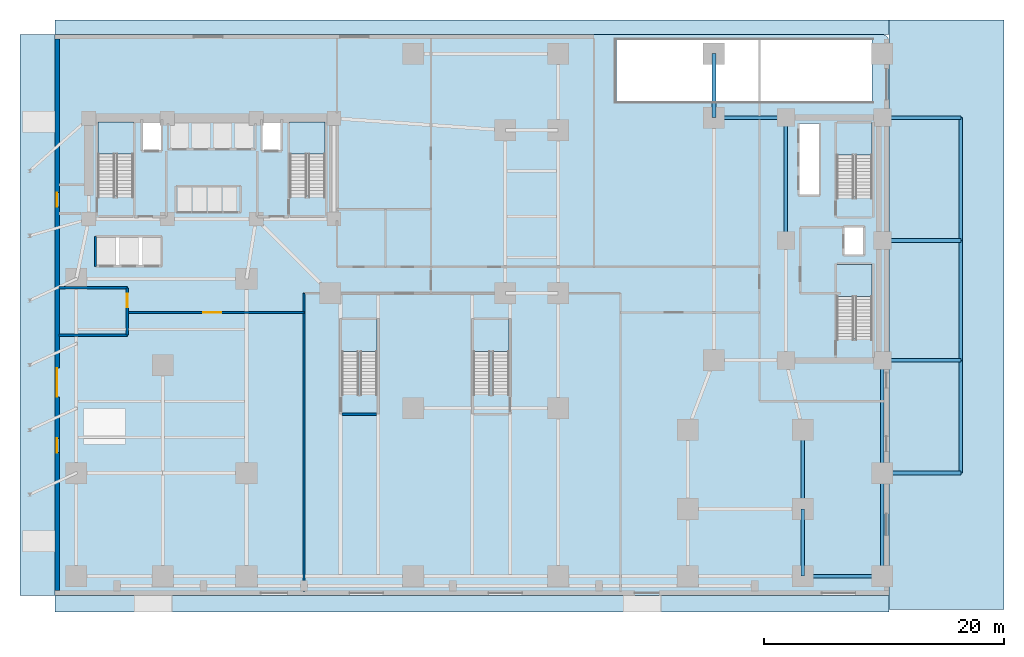
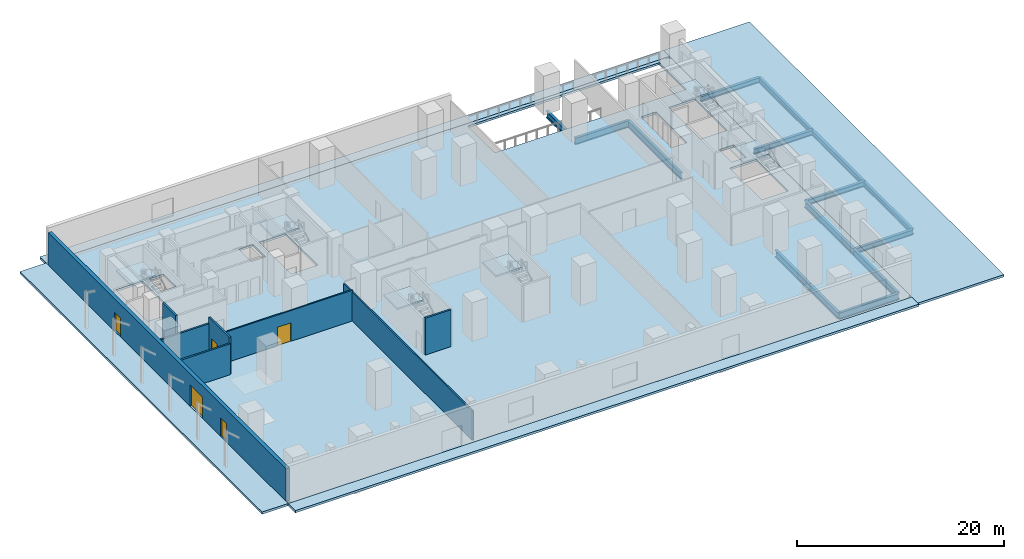
# One storey, part 5 of 14: 15 beams, 11 slabs, 8 walls, 5 doors, 5 openings, 6 elements without a shape of their own.
"""IFC4 building model written with IfcOpenShell, lengths in metres."""

import ifcopenshell
import ifcopenshell.guid

model = None  # the IFC model being written
_history = None  # IfcOwnerHistory: only IFC2X3 demands one
_inside = {}  # id of a spatial element -> (the spatial element, [elements in it])
_under = {}  # id of a project, library or spatial element -> (it, [spatial elements below it])
_declared = {}  # id of a project -> (the project, [libraries it declares])
_typed = {}  # id of a type object -> (the type object, [elements of that type])
_made_of = {}  # id of a material, layer set ... -> (it, [elements and type objects made of it])


def new_model(schema):
    """Start an empty IFC model of exactly this schema.

    Asked for "IFC4X3", IfcOpenShell would pick the latest addendum, in which some entities
    have other attributes; the version numbers below select the first issue.
    IFC2X3 requires an IfcOwnerHistory on every rooted entity: one is made here for all.
    """
    global model, _history
    if schema == "IFC4X3":
        model = ifcopenshell.file(schema_version=(4, 3, 0, 0))
    else:
        model = ifcopenshell.file(schema=schema)
    _inside.clear()
    _under.clear()
    _declared.clear()
    _typed.clear()
    _made_of.clear()
    _history = None
    if model.schema == "IFC2X3":
        org = make("IfcOrganization", Name="unknown")
        user = make(
            "IfcPersonAndOrganization",
            ThePerson=make("IfcPerson", FamilyName="unknown"),
            TheOrganization=org,
        )
        app = make(
            "IfcApplication",
            ApplicationDeveloper=org,
            Version="unknown",
            ApplicationFullName="unknown",
            ApplicationIdentifier="unknown",
        )
        _history = make(
            "IfcOwnerHistory",
            OwningUser=user,
            OwningApplication=app,
            ChangeAction="ADDED",
            CreationDate=0,
        )
    return model


def make(cls, **values):
    """One entity of the class cls with the attributes given. An attribute that is None is left unset."""
    return model.create_entity(
        cls, **{name: value for name, value in values.items() if value is not None}
    )


def rooted(cls, **values):
    """An entity with a GlobalId (a new one), such as an element, a storey or a relation."""
    return make(cls, GlobalId=ifcopenshell.guid.new(), OwnerHistory=_history, **values)


def si_unit(unit_type, name, prefix=None):
    """IfcSIUnit, for example si_unit("LENGTHUNIT", "METRE", prefix="MILLI")."""
    return make("IfcSIUnit", UnitType=unit_type, Prefix=prefix, Name=name)


def assignment(units):
    """IfcUnitAssignment: the units of a project."""
    return None if units is None else make("IfcUnitAssignment", Units=units)


def point(xyz):
    """IfcCartesianPoint."""
    return None if xyz is None else make("IfcCartesianPoint", Coordinates=xyz)


def direction(xyz):
    """IfcDirection."""
    return None if xyz is None else make("IfcDirection", DirectionRatios=xyz)


def frame(location, z_axis=None, x_axis=None):
    """IfcAxis2Placement3D, a coordinate frame: its origin and axes. An axis left out is left unset."""
    return make(
        "IfcAxis2Placement3D",
        Location=point(location),
        Axis=direction(z_axis),
        RefDirection=direction(x_axis),
    )


def frame_2d(location, x_axis=None):
    """IfcAxis2Placement2D, a coordinate frame in the plane: its origin and x axis."""
    return make(
        "IfcAxis2Placement2D", Location=point(location), RefDirection=direction(x_axis)
    )


def origin():
    """The frame at (0, 0, 0) with its axes left unset."""
    return frame((0.0, 0.0, 0.0))


def origin_2d():
    """The frame at (0, 0) in the plane with its x axis left unset."""
    return frame_2d((0.0, 0.0))


def place(relative_to, where):
    """IfcLocalPlacement: puts the frame where relative to a parent placement (None: the world)."""
    return make(
        "IfcLocalPlacement", PlacementRelTo=relative_to, RelativePlacement=where
    )


def context(
    kind, dimensions, precision=None, world=None, true_north=None, identifier=None
):
    """IfcGeometricRepresentationContext, for example the 3D "Model" context."""
    return make(
        "IfcGeometricRepresentationContext",
        ContextIdentifier=identifier,
        ContextType=kind,
        CoordinateSpaceDimension=dimensions,
        Precision=precision,
        WorldCoordinateSystem=world,
        TrueNorth=true_north,
    )


def subcontext(parent, identifier, kind, view, scale=None):
    """IfcGeometricRepresentationSubContext, for example "Body" below "Model"."""
    return make(
        "IfcGeometricRepresentationSubContext",
        ContextIdentifier=identifier,
        ContextType=kind,
        ParentContext=parent,
        TargetScale=scale,
        TargetView=view,
    )


def project(units=None, contexts=None):
    """IfcProject with its units and contexts."""
    return rooted(
        "IfcProject",
        Name="project",
        RepresentationContexts=contexts,
        UnitsInContext=assignment(units),
    )


def spatial(cls, under=None, at=None, **own):
    """A site, building, storey or space (cls), placed at a placement, below another one or the project."""
    s = rooted(cls, ObjectPlacement=at, **own)
    if under is not None:
        _under.setdefault(under.id(), (under, []))[1].append(s)
    return s


def polyline(points):
    """IfcPolyline through the points."""
    return make("IfcPolyline", Points=[point(p) for p in points])


def profile(cls, at=None, kind="AREA", **sizes):
    """A parametric profile (cls). Its sizes go by their IFC names, for example OverallWidth=200.0."""
    return make(cls, ProfileType=kind, Position=at, **sizes)


def rectangle(**sizes):
    """IfcRectangleProfileDef."""
    return profile("IfcRectangleProfileDef", **sizes)


def i_section(**sizes):
    """IfcIShapeProfileDef."""
    return profile("IfcIShapeProfileDef", **sizes)


def outline(outer, holes=None, kind="AREA"):
    """IfcArbitraryClosedProfileDef: a profile drawn as a closed curve; with holes, ...WithVoids."""
    if holes is None:
        return make("IfcArbitraryClosedProfileDef", ProfileType=kind, OuterCurve=outer)
    return make(
        "IfcArbitraryProfileDefWithVoids",
        ProfileType=kind,
        OuterCurve=outer,
        InnerCurves=holes,
    )


def extrude(swept, where, along, depth):
    """IfcExtrudedAreaSolid: the profile swept, set in the frame where, extruded along a direction by depth."""
    return make(
        "IfcExtrudedAreaSolid",
        SweptArea=swept,
        Position=where,
        ExtrudedDirection=direction(along),
        Depth=depth,
    )


def shape(context_of_items, identifier, shape_type, items):
    """IfcShapeRepresentation: the items that make up one representation, for example the "Body"."""
    return make(
        "IfcShapeRepresentation",
        ContextOfItems=context_of_items,
        RepresentationIdentifier=identifier,
        RepresentationType=shape_type,
        Items=items,
    )


def material(Name=None, Category=None):
    """IfcMaterial."""
    return make("IfcMaterial", Name=Name, Category=Category)


def layer(
    of_material, thickness, ventilated=None, Name=None, Category=None, Priority=None
):
    """IfcMaterialLayer: one layer of a wall or slab, of a material (None: an air gap)."""
    return make(
        "IfcMaterialLayer",
        Material=of_material,
        LayerThickness=thickness,
        IsVentilated=ventilated,
        Name=Name,
        Category=Category,
        Priority=Priority,
    )


def layer_set(layers, Name=None):
    """IfcMaterialLayerSet."""
    return make("IfcMaterialLayerSet", MaterialLayers=layers, LayerSetName=Name)


def material_profile(
    of_material, cross_section, Name=None, Category=None, Priority=None
):
    """IfcMaterialProfile: a cross section and its material."""
    return make(
        "IfcMaterialProfile",
        Name=Name,
        Material=of_material,
        Profile=cross_section,
        Priority=Priority,
        Category=Category,
    )


def profile_set(profiles, Name=None, composite=None):
    """IfcMaterialProfileSet."""
    return make(
        "IfcMaterialProfileSet",
        Name=Name,
        MaterialProfiles=profiles,
        CompositeProfile=composite,
    )


def made_of(thing, what):
    """Note that an element or type object is made of a material, layer set ...; save() writes the relation."""
    if what is not None:
        _made_of.setdefault(what.id(), (what, []))[1].append(thing)
    return thing


def type_object(cls, material=None, **own):
    """A type object (cls), such as IfcWallType, which elements share."""
    return made_of(rooted(cls, **own), material)


def element(
    cls,
    number,
    at=None,
    inside=None,
    cuts=None,
    type_object=None,
    material=None,
    context=None,
    identifier="Body",
    shape_type=None,
    held_by="IfcProductDefinitionShape",
    body=None,
    shapes=None,
    **own,
):
    """One element of the class cls, such as IfcWall. Its Tag is "e" and its number.

    at: its placement. inside: the storey or other place that contains it. cuts: it is an
    opening in that element (IfcRelVoidsElement). A single representation is given by context,
    identifier, shape_type and body (its items); several are given by shapes. held_by: the class
    of the entity that holds the representations. save() writes the other relations.
    """
    e = rooted(cls, Tag="e%d" % number, ObjectPlacement=at, **own)
    if body is not None:
        shapes = [shape(context, identifier, shape_type, body)]
    if shapes is not None:
        e.Representation = make(held_by, Representations=shapes)
    if inside is not None:
        _inside.setdefault(inside.id(), (inside, []))[1].append(e)
    if cuts is not None:
        rooted(
            "IfcRelVoidsElement", RelatingBuildingElement=cuts, RelatedOpeningElement=e
        )
    if type_object is not None:
        _typed.setdefault(type_object.id(), (type_object, []))[1].append(e)
    return made_of(e, material)


def fill(opening, filler):
    """IfcRelFillsElement: the door or window that sits in an opening."""
    return rooted(
        "IfcRelFillsElement",
        RelatingOpeningElement=opening,
        RelatedBuildingElement=filler,
    )


def aggregate(whole, parts):
    """IfcRelAggregates: a whole, such as a stair, and the parts it consists of."""
    return rooted("IfcRelAggregates", RelatingObject=whole, RelatedObjects=parts)


def save(model, path):
    """Write the relations noted so far, then the file.

    IfcRelAggregates (storeys below a building ...), IfcRelContainedInSpatialStructure (elements
    in a storey), IfcRelDefinesByType, IfcRelAssociatesMaterial and IfcRelDeclares: one each for
    every whole, place, type object, material and project.
    """
    for whole, parts in _under.values():
        aggregate(whole, parts)
    for where, things in _inside.values():
        rooted(
            "IfcRelContainedInSpatialStructure",
            RelatedElements=things,
            RelatingStructure=where,
        )
    for kind, things in _typed.values():
        rooted("IfcRelDefinesByType", RelatedObjects=things, RelatingType=kind)
    for what, things in _made_of.values():
        rooted("IfcRelAssociatesMaterial", RelatedObjects=things, RelatingMaterial=what)
    for by, libraries in _declared.values():
        rooted("IfcRelDeclares", RelatingContext=by, RelatedDefinitions=libraries)
    model.write(path)


model = new_model("IFC4")

# Units and contexts
model_context = context("Model", 3, precision=1e-05, world=origin(), true_north=direction((0.0, 1.0)))
body_context = subcontext(model_context, "Body", "Model", "MODEL_VIEW")
ifc_project = project(units=[si_unit("LENGTHUNIT", "METRE"), si_unit("AREAUNIT", "SQUARE_METRE"), si_unit("VOLUMEUNIT", "CUBIC_METRE"), si_unit("PLANEANGLEUNIT", "RADIAN"), si_unit("MASSUNIT", "GRAM", prefix="KILO")], contexts=[model_context])

# Site, building, storey
site_placement = place(None, origin())
site = spatial("IfcSite", under=ifc_project, at=site_placement, CompositionType="ELEMENT")
building_placement = place(site_placement, origin())
building = spatial("IfcBuilding", under=site, at=building_placement, Name="Kuzgunbayir Cultural Tower", CompositionType="ELEMENT")
storey_placement = place(building_placement, origin())
storey = spatial("IfcBuildingStorey", under=building, at=storey_placement, Name="L00", CompositionType="ELEMENT", Elevation=0.0)

# Beams
ifc_material_1 = material(Name="Steel S355J2", Category="steel")
ifc_material_profile_1 = material_profile(ifc_material_1, i_section(OverallWidth=0.300048828125, OverallDepth=0.800048828125, WebThickness=0.017578125, FlangeThickness=0.032958984375, FilletRadius=0.030029296875, at=origin_2d()), Name="HEB 800")
ifc_profile_set_1 = profile_set([ifc_material_profile_1], Name="Steel S355J2")
beam_type_1 = type_object("IfcBeamType", Name="BM-GIR-HEB800", PredefinedType="BEAM", material=ifc_profile_set_1)
beam_1_placement = place(storey_placement, frame((66.0, 4.0, -0.64990234375), z_axis=(1.0, 0.0, 0.0), x_axis=(0.0, 1.0, 0.0)))
element("IfcBeam", 1, at=beam_1_placement, inside=storey, type_object=beam_type_1, Name="L00 Podium South Girder 7", PredefinedType="BEAM", context=body_context, shape_type="SweptSolid", body=[
    extrude(i_section(OverallWidth=0.300048828125, OverallDepth=0.800048828125, WebThickness=0.017578125, FlangeThickness=0.032958984375, FilletRadius=0.030029296875, at=origin_2d()), origin(), (0.0, 0.0, 1.0), 6.64990234375),
])
beam_2_placement = place(storey_placement, frame((66.0, 9.60009765625, -0.64990234375), z_axis=(0.0, 1.0, 0.0), x_axis=(-1.0, 0.0, 0.0)))
element("IfcBeam", 2, at=beam_2_placement, inside=storey, type_object=beam_type_1, Name="L00 Podium Primary Girder 21", PredefinedType="BEAM", context=body_context, shape_type="SweptSolid", body=[
    extrude(i_section(OverallWidth=0.300048828125, OverallDepth=0.800048828125, WebThickness=0.017578125, FlangeThickness=0.032958984375, FilletRadius=0.030029296875, at=origin_2d()), origin(), (0.0, 0.0, 1.0), 6.599853515625),
])
beam_3_placement = place(storey_placement, frame((58.60009765625, 42.25, -0.64990234375), z_axis=(1.0, 0.0, 0.0), x_axis=(0.0, 1.0, 0.0)))
element("IfcBeam", 3, at=beam_3_placement, inside=storey, type_object=beam_type_1, Name="L00 Podium Primary Girder 24", PredefinedType="BEAM", context=body_context, shape_type="SweptSolid", body=[
    extrude(i_section(OverallWidth=0.300048828125, OverallDepth=0.800048828125, WebThickness=0.017578125, FlangeThickness=0.032958984375, FilletRadius=0.030029296875, at=origin_2d()), origin(), (0.0, 0.0, 1.0), 6.0),
])
beam_4_placement = place(storey_placement, frame((64.60009765625, 32.0, -0.64990234375), z_axis=(0.0, 1.0, 0.0), x_axis=(-1.0, 0.0, 0.0)))
element("IfcBeam", 4, at=beam_4_placement, inside=storey, type_object=beam_type_1, Name="L00 Podium Primary Girder 27", PredefinedType="BEAM", context=body_context, shape_type="SweptSolid", body=[
    extrude(i_section(OverallWidth=0.300048828125, OverallDepth=0.800048828125, WebThickness=0.017578125, FlangeThickness=0.032958984375, FilletRadius=0.030029296875, at=origin_2d()), origin(), (0.0, 0.0, 1.0), 10.25),
])
beam_5_placement = place(storey_placement, frame((66.0, 4.0, -0.64990234375), z_axis=(0.0, 1.0, 0.0), x_axis=(-1.0, 0.0, 0.0)))
element("IfcBeam", 5, at=beam_5_placement, inside=storey, type_object=beam_type_1, Name="L00 Podium Primary Girder 38", PredefinedType="BEAM", context=body_context, shape_type="SweptSolid", body=[
    extrude(i_section(OverallWidth=0.300048828125, OverallDepth=0.800048828125, WebThickness=0.017578125, FlangeThickness=0.032958984375, FilletRadius=0.030029296875, at=origin_2d()), origin(), (0.0, 0.0, 1.0), 5.60009765625),
])
beam_6_placement = place(storey_placement, frame((72.64990234375, 4.0, -0.64990234375), z_axis=(0.0, 1.0, 0.0), x_axis=(-1.0, 0.0, 0.0)))
element("IfcBeam", 6, at=beam_6_placement, inside=storey, type_object=beam_type_1, Name="L00 Podium Primary Girder 39", PredefinedType="BEAM", context=body_context, shape_type="SweptSolid", body=[
    extrude(i_section(OverallWidth=0.300048828125, OverallDepth=0.800048828125, WebThickness=0.017578125, FlangeThickness=0.032958984375, FilletRadius=0.030029296875, at=origin_2d()), origin(), (0.0, 0.0, 1.0), 8.60009765625),
])
beam_7_placement = place(storey_placement, frame((72.64990234375, 12.60009765625, -0.64990234375), z_axis=(0.0, 1.0, 0.0), x_axis=(-1.0, 0.0, 0.0)))
element("IfcBeam", 7, at=beam_7_placement, inside=storey, type_object=beam_type_1, Name="L00 Podium Primary Girder 40", PredefinedType="BEAM", context=body_context, shape_type="SweptSolid", body=[
    extrude(i_section(OverallWidth=0.300048828125, OverallDepth=0.800048828125, WebThickness=0.017578125, FlangeThickness=0.032958984375, FilletRadius=0.030029296875, at=origin_2d()), origin(), (0.0, 0.0, 1.0), 9.39990234375),
])
beam_8_placement = place(storey_placement, frame((58.60009765625, 42.25, -0.64990234375), z_axis=(0.0, 1.0, 0.0), x_axis=(-1.0, 0.0, 0.0)))
element("IfcBeam", 8, at=beam_8_placement, inside=storey, type_object=beam_type_1, Name="L00 Podium Primary Girder 42", PredefinedType="BEAM", context=body_context, shape_type="SweptSolid", body=[
    extrude(i_section(OverallWidth=0.300048828125, OverallDepth=0.800048828125, WebThickness=0.017578125, FlangeThickness=0.032958984375, FilletRadius=0.030029296875, at=origin_2d()), origin(), (0.0, 0.0, 1.0), 5.35009765625),
])
ifc_material_2 = material(Name="Steel S460M", Category="steel")
ifc_material_profile_2 = material_profile(ifc_material_2, i_section(OverallWidth=0.304931640625, OverallDepth=0.6201171875, WebThickness=0.02099609375, FlangeThickness=0.0400390625, FilletRadius=0.027099609375, at=origin_2d()), Name="HEM 600")
ifc_profile_set_2 = profile_set([ifc_material_profile_2], Name="Steel S460M")
beam_type_2 = type_object("IfcBeamType", Name="BM-GIR-HEM600", PredefinedType="BEAM", material=ifc_profile_set_2)
for number, where, z_axis, x_axis, name in (
    (9, (72.64990234375, 12.60009765625, -0.570068359375), (1.0, 0.0, 0.0), (0.0, 1.0, 0.0), "L00 East Substructure Girder 1"),
    (10, (72.64990234375, 22.0, -0.570068359375), (1.0, 0.0, 0.0), (0.0, 1.0, 0.0), "L00 East Substructure Girder 2"),
    (11, (72.64990234375, 32.0, -0.570068359375), (1.0, 0.0, 0.0), (0.0, 1.0, 0.0), "L00 East Substructure Girder 3"),
    (12, (72.64990234375, 42.25, -0.570068359375), (1.0, 0.0, 0.0), (0.0, 1.0, 0.0), "L00 East Substructure Girder 4"),
):
    element("IfcBeam", number, at=place(storey_placement, frame(where, z_axis=z_axis, x_axis=x_axis)), inside=storey, type_object=beam_type_2, Name=name, PredefinedType="BEAM", context=body_context, shape_type="SweptSolid", body=[
        extrude(i_section(OverallWidth=0.304931640625, OverallDepth=0.6201171875, WebThickness=0.02099609375, FlangeThickness=0.0400390625, FilletRadius=0.027099609375, at=origin_2d()), origin(), (0.0, 0.0, 1.0), 6.550048828125),
    ])
beam_9_placement = place(storey_placement, frame((79.199951171875, 12.60009765625, -0.570068359375), z_axis=(0.0, 1.0, 0.0), x_axis=(-1.0, 0.0, 0.0)))
element("IfcBeam", 13, at=beam_9_placement, inside=storey, type_object=beam_type_2, Name="L00 East Substructure Spine 1", PredefinedType="BEAM", context=body_context, shape_type="SweptSolid", body=[
    extrude(i_section(OverallWidth=0.304931640625, OverallDepth=0.6201171875, WebThickness=0.02099609375, FlangeThickness=0.0400390625, FilletRadius=0.027099609375, at=origin_2d()), origin(), (0.0, 0.0, 1.0), 9.39990234375),
])
beam_10_placement = place(storey_placement, frame((79.199951171875, 22.0, -0.570068359375), z_axis=(0.0, 1.0, 0.0), x_axis=(-1.0, 0.0, 0.0)))
element("IfcBeam", 14, at=beam_10_placement, inside=storey, type_object=beam_type_2, Name="L00 East Substructure Spine 2", PredefinedType="BEAM", context=body_context, shape_type="SweptSolid", body=[
    extrude(i_section(OverallWidth=0.304931640625, OverallDepth=0.6201171875, WebThickness=0.02099609375, FlangeThickness=0.0400390625, FilletRadius=0.027099609375, at=origin_2d()), origin(), (0.0, 0.0, 1.0), 10.0),
])
beam_11_placement = place(storey_placement, frame((79.199951171875, 32.0, -0.570068359375), z_axis=(0.0, 1.0, 0.0), x_axis=(-1.0, 0.0, 0.0)))
element("IfcBeam", 15, at=beam_11_placement, inside=storey, type_object=beam_type_2, Name="L00 East Substructure Spine 3", PredefinedType="BEAM", context=body_context, shape_type="SweptSolid", body=[
    extrude(i_section(OverallWidth=0.304931640625, OverallDepth=0.6201171875, WebThickness=0.02099609375, FlangeThickness=0.0400390625, FilletRadius=0.027099609375, at=origin_2d()), origin(), (0.0, 0.0, 1.0), 10.25),
])

# Slabs
ifc_material_3 = material(Name="Concrete C40/50", Category="concrete")
ifc_layer_1 = layer(ifc_material_3, 0.260009765625)
ifc_layer_set_1 = layer_set([ifc_layer_1], Name="Concrete C40/50")
slab_type_1 = type_object("IfcSlabType", Name="SLB-APRON-260", PredefinedType="FLOOR", material=ifc_layer_set_1)
slab_1_placement = place(storey_placement, frame((0.0, 0.0, -0.260009765625)))
element("IfcSlab", 16, at=slab_1_placement, inside=storey, type_object=slab_type_1, Name="L00 Exterior Entrance and Plaza Slab WEST", PredefinedType="FLOOR", context=body_context, shape_type="SweptSolid", body=[
    extrude(outline(polyline([(0.699951171875, 2.39990234375), (3.60009765625, 2.39990234375), (3.60009765625, 49.199951171875), (0.699951171875, 49.199951171875), (0.699951171875, 2.39990234375)])), origin(), (0.0, 0.0, 1.0), 0.260009765625),
])
slab_2_placement = place(storey_placement, frame((0.0, 0.0, -0.260009765625)))
element("IfcSlab", 17, at=slab_2_placement, inside=storey, type_object=slab_type_1, Name="L00 Exterior Entrance and Plaza Slab SOUTH", PredefinedType="FLOOR", context=body_context, shape_type="SweptSolid", body=[
    extrude(outline(polyline([(3.60009765625, 1.0), (73.199951171875, 1.0), (73.199951171875, 2.39990234375), (3.60009765625, 2.39990234375), (3.60009765625, 1.0)])), origin(), (0.0, 0.0, 1.0), 0.260009765625),
])
slab_3_placement = place(storey_placement, frame((0.0, 0.0, -0.260009765625)))
element("IfcSlab", 18, at=slab_3_placement, inside=storey, type_object=slab_type_1, Name="L00 Exterior Entrance and Plaza Slab NORTH", PredefinedType="FLOOR", context=body_context, shape_type="SweptSolid", body=[
    extrude(outline(polyline([(3.60009765625, 49.199951171875), (73.199951171875, 49.199951171875), (73.199951171875, 50.39990234375), (3.60009765625, 50.39990234375), (3.60009765625, 49.199951171875)])), origin(), (0.0, 0.0, 1.0), 0.260009765625),
])
slab_4_placement = place(storey_placement, frame((0.0, 0.0, -0.260009765625)))
element("IfcSlab", 19, at=slab_4_placement, inside=storey, type_object=slab_type_1, Name="L00 Exterior Entrance and Plaza Slab EAST-PLAZA", PredefinedType="FLOOR", context=body_context, shape_type="SweptSolid", body=[
    extrude(outline(polyline([(73.199951171875, 1.199951171875), (82.800048828125, 1.199951171875), (82.800048828125, 50.39990234375), (73.199951171875, 50.39990234375), (73.199951171875, 1.199951171875)])), origin(), (0.0, 0.0, 1.0), 0.260009765625),
])

# Stair, slab
stair_type_1 = type_object("IfcStairType", Name="STR-EXIT-CORE", PredefinedType="HALF_TURN_STAIR", material=ifc_material_3)
stair_1_placement = place(storey_placement, origin())
stair_1 = element("IfcStair", 20, at=stair_1_placement, inside=storey, type_object=stair_type_1, Name="L00 ST-1", PredefinedType="HALF_TURN_STAIR")
ifc_layer_2 = layer(ifc_material_3, 0.179931640625)
ifc_layer_set_2 = layer_set([ifc_layer_2], Name="Concrete C40/50")
slab_type_2 = type_object("IfcSlabType", Name="SLB-LANDING-180", PredefinedType="LANDING", material=ifc_layer_set_2)
slab_5_placement = place(storey_placement, frame((0.0, 0.0, 2.10009765625)))
slab_5 = element("IfcSlab", 21, at=slab_5_placement, type_object=slab_type_2, Name="ST-1 landing 1", PredefinedType="LANDING", context=body_context, shape_type="SweptSolid", body=[
    extrude(outline(polyline([(10.159912109375, 39.239990234375), (10.159912109375, 41.89990234375), (7.199951171875, 41.89990234375), (7.199951171875, 39.239990234375), (10.159912109375, 39.239990234375)])), origin(), (0.0, 0.0, 1.0), 0.199951171875),
])
aggregate(stair_1, [slab_5])

stair_2_placement = place(storey_placement, origin())
stair_2 = element("IfcStair", 22, at=stair_2_placement, inside=storey, type_object=stair_type_1, Name="L00 ST-2", PredefinedType="HALF_TURN_STAIR")
slab_6_placement = place(storey_placement, frame((0.0, 0.0, 2.10009765625)))
slab_6 = element("IfcSlab", 23, at=slab_6_placement, type_object=slab_type_2, Name="ST-2 landing 1", PredefinedType="LANDING", context=body_context, shape_type="SweptSolid", body=[
    extrude(outline(polyline([(26.159912109375, 39.239990234375), (26.159912109375, 41.89990234375), (23.199951171875, 41.89990234375), (23.199951171875, 39.239990234375), (26.159912109375, 39.239990234375)])), origin(), (0.0, 0.0, 1.0), 0.199951171875),
])
aggregate(stair_2, [slab_6])

stair_3_placement = place(storey_placement, origin())
stair_3 = element("IfcStair", 24, at=stair_3_placement, inside=storey, type_object=stair_type_1, Name="L00 ST-3", PredefinedType="HALF_TURN_STAIR")
slab_7_placement = place(storey_placement, frame((0.0, 0.0, 2.10009765625)))
slab_7 = element("IfcSlab", 25, at=slab_7_placement, type_object=slab_type_2, Name="ST-3 landing 1", PredefinedType="LANDING", context=body_context, shape_type="SweptSolid", body=[
    extrude(outline(polyline([(71.800048828125, 27.340087890625), (71.800048828125, 30.0), (68.840087890625, 30.0), (68.840087890625, 27.340087890625), (71.800048828125, 27.340087890625)])), origin(), (0.0, 0.0, 1.0), 0.199951171875),
])
aggregate(stair_3, [slab_7])

stair_4_placement = place(storey_placement, origin())
stair_4 = element("IfcStair", 26, at=stair_4_placement, inside=storey, type_object=stair_type_1, Name="L00 ST-4", PredefinedType="HALF_TURN_STAIR")
slab_8_placement = place(storey_placement, frame((0.0, 0.0, 2.10009765625)))
slab_8 = element("IfcSlab", 27, at=slab_8_placement, type_object=slab_type_2, Name="ST-4 landing 1", PredefinedType="LANDING", context=body_context, shape_type="SweptSolid", body=[
    extrude(outline(polyline([(71.800048828125, 39.139892578125), (71.800048828125, 41.800048828125), (68.840087890625, 41.800048828125), (68.840087890625, 39.139892578125), (71.800048828125, 39.139892578125)])), origin(), (0.0, 0.0, 1.0), 0.199951171875),
])
aggregate(stair_4, [slab_8])

stair_type_2 = type_object("IfcStairType", Name="STR-PODIUM-ESC", PredefinedType="HALF_TURN_STAIR", material=ifc_material_3)
stair_5_placement = place(storey_placement, origin())
stair_5 = element("IfcStair", 28, at=stair_5_placement, inside=storey, type_object=stair_type_2, Name="L00 ST-5", PredefinedType="HALF_TURN_STAIR")
slab_9_placement = place(storey_placement, frame((0.0, 0.0, 2.10009765625)))
slab_9 = element("IfcSlab", 29, at=slab_9_placement, type_object=slab_type_2, Name="ST-5 landing 1", PredefinedType="LANDING", context=body_context, shape_type="SweptSolid", body=[
    extrude(outline(polyline([(30.5, 22.739990234375), (30.5, 25.39990234375), (27.5400390625, 25.39990234375), (27.5400390625, 22.739990234375), (30.5, 22.739990234375)])), origin(), (0.0, 0.0, 1.0), 0.199951171875),
])
aggregate(stair_5, [slab_9])

stair_6_placement = place(storey_placement, origin())
stair_6 = element("IfcStair", 30, at=stair_6_placement, inside=storey, type_object=stair_type_2, Name="L00 ST-6", PredefinedType="HALF_TURN_STAIR")
slab_10_placement = place(storey_placement, frame((0.0, 0.0, 2.10009765625)))
slab_10 = element("IfcSlab", 31, at=slab_10_placement, type_object=slab_type_2, Name="ST-6 landing 1", PredefinedType="LANDING", context=body_context, shape_type="SweptSolid", body=[
    extrude(outline(polyline([(41.5, 22.739990234375), (41.5, 25.39990234375), (38.5400390625, 25.39990234375), (38.5400390625, 22.739990234375), (41.5, 22.739990234375)])), origin(), (0.0, 0.0, 1.0), 0.199951171875),
])
aggregate(stair_6, [slab_10])

# Slab
ifc_layer_3 = layer(ifc_material_3, 0.25)
ifc_layer_set_3 = layer_set([ifc_layer_3], Name="Concrete C40/50")
slab_type_3 = type_object("IfcSlabType", Name="SLB-POD-250", PredefinedType="FLOOR", material=ifc_layer_set_3)
slab_11_placement = place(storey_placement, frame((0.0, 0.0, -0.25)))
element("IfcSlab", 32, at=slab_11_placement, inside=storey, type_object=slab_type_3, Name="L00 Podium Structural Floor Slab", PredefinedType="FLOOR", context=body_context, shape_type="SweptSolid", body=[
    extrude(outline(polyline([(72.60009765625, 2.39990234375), (72.719970703125, 2.409912109375), (72.830078125, 2.449951171875), (72.929931640625, 2.5), (73.02001953125, 2.580078125), (73.10009765625, 2.669921875), (73.14990234375, 2.77001953125), (73.18994140625, 2.8798828125), (73.199951171875, 3.0), (73.199951171875, 48.60009765625), (73.18994140625, 48.719970703125), (73.14990234375, 48.830078125), (73.10009765625, 48.929931640625), (73.02001953125, 49.02001953125), (72.929931640625, 49.10009765625), (72.830078125, 49.14990234375), (72.719970703125, 49.18994140625), (72.60009765625, 49.199951171875), (4.199951171875, 49.199951171875), (4.080078125, 49.18994140625), (3.969970703125, 49.14990234375), (3.8701171875, 49.10009765625), (3.780029296875, 49.02001953125), (3.699951171875, 48.929931640625), (3.64990234375, 48.830078125), (3.610107421875, 48.719970703125), (3.60009765625, 48.60009765625), (3.60009765625, 3.0), (3.610107421875, 2.8798828125), (3.64990234375, 2.77001953125), (3.699951171875, 2.669921875), (3.780029296875, 2.580078125), (3.8701171875, 2.5), (3.969970703125, 2.449951171875), (4.080078125, 2.409912109375), (4.199951171875, 2.39990234375), (72.60009765625, 2.39990234375)]), holes=[polyline([(7.199951171875, 35.760009765625), (7.199951171875, 41.89990234375), (10.159912109375, 41.89990234375), (10.159912109375, 35.760009765625), (7.199951171875, 35.760009765625)]), polyline([(23.199951171875, 35.760009765625), (23.199951171875, 41.89990234375), (26.159912109375, 41.89990234375), (26.159912109375, 35.760009765625), (23.199951171875, 35.760009765625)]), polyline([(68.840087890625, 23.860107421875), (68.840087890625, 30.0), (71.800048828125, 30.0), (71.800048828125, 23.860107421875), (68.840087890625, 23.860107421875)]), polyline([(68.840087890625, 35.659912109375), (68.840087890625, 41.800048828125), (71.800048828125, 41.800048828125), (71.800048828125, 35.659912109375), (68.840087890625, 35.659912109375)]), polyline([(7.10009765625, 29.89990234375), (7.10009765625, 32.300048828125), (12.5, 32.300048828125), (12.5, 29.89990234375), (7.10009765625, 29.89990234375)]), polyline([(10.89990234375, 39.5), (10.89990234375, 41.89990234375), (12.5, 41.89990234375), (12.5, 39.5), (10.89990234375, 39.5)]), polyline([(20.89990234375, 39.5), (20.89990234375, 41.89990234375), (22.5, 41.89990234375), (22.5, 39.5), (20.89990234375, 39.5)]), polyline([(65.699951171875, 35.800048828125), (65.699951171875, 41.75), (67.39990234375, 41.75), (67.39990234375, 35.800048828125), (65.699951171875, 35.800048828125)]), polyline([(69.5, 30.800048828125), (69.5, 33.199951171875), (71.10009765625, 33.199951171875), (71.10009765625, 30.800048828125), (69.5, 30.800048828125)]), polyline([(50.449951171875, 43.60009765625), (50.449951171875, 48.800048828125), (71.800048828125, 48.800048828125), (71.800048828125, 43.60009765625), (50.449951171875, 43.60009765625)])]), origin(), (0.0, 0.0, 1.0), 0.25),
])

# Wall, openings, doors
ifc_material_4 = material(Name="Honed Basalt Plinth Stone", Category="masonry")
ifc_layer_4 = layer(ifc_material_4, 0.39990234375)
ifc_layer_set_4 = layer_set([ifc_layer_4], Name="Honed Basalt Plinth Stone")
wall_type_1 = type_object("IfcWallType", Name="WAL-EXT-GRANITE-400", PredefinedType="STANDARD", material=ifc_layer_set_4)
wall_1_placement = place(storey_placement, frame((3.800048828125, 48.800048828125, 0.0), z_axis=(0.0, 0.0, 1.0), x_axis=(0.0, -1.0, 0.0)))
wall_1 = element("IfcWall", 33, at=wall_1_placement, inside=storey, type_object=wall_type_1, Name="L00 Podium West Civic Limestone Facade", PredefinedType="STANDARD", context=body_context, shape_type="SweptSolid", body=[
    extrude(rectangle(XDim=46.0, YDim=0.39990234375, at=frame_2d((23.0, 0.0))), origin(), (0.0, 0.0, 1.0), 3.830078125),
])
opening_1_placement = place(wall_1_placement, frame((27.449951171875, 0.0, 0.0)))
opening_1 = element("IfcOpeningElement", 34, at=opening_1_placement, cuts=wall_1, Name="Opening ED-01", PredefinedType="OPENING", context=body_context, shape_type="SweptSolid", body=[
    extrude(rectangle(XDim=2.39990234375, YDim=2.5, at=frame_2d((1.199951171875, 1.25))), frame((0.0, 0.2099609375, 0.0), z_axis=(0.0, -1.0, 0.0), x_axis=(1.0, 0.0, 0.0)), (0.0, 0.0, 1.0), 0.419921875),
])
opening_2_placement = place(wall_1_placement, frame((33.300048828125, 0.0, 0.0)))
opening_2 = element("IfcOpeningElement", 35, at=opening_2_placement, cuts=wall_1, Name="Opening ED-04", PredefinedType="OPENING", context=body_context, shape_type="SweptSolid", body=[
    extrude(rectangle(XDim=1.199951171875, YDim=2.199951171875, at=frame_2d((0.60009765625, 1.10009765625))), frame((0.0, 0.2099609375, 0.0), z_axis=(0.0, -1.0, 0.0), x_axis=(1.0, 0.0, 0.0)), (0.0, 0.0, 1.0), 0.419921875),
])
opening_3_placement = place(wall_1_placement, frame((12.800048828125, 0.0, 0.0)))
opening_3 = element("IfcOpeningElement", 36, at=opening_3_placement, cuts=wall_1, Name="Opening ED-08", PredefinedType="OPENING", context=body_context, shape_type="SweptSolid", body=[
    extrude(rectangle(XDim=1.199951171875, YDim=2.199951171875, at=frame_2d((0.60009765625, 1.10009765625))), frame((0.0, 0.2099609375, 0.0), z_axis=(0.0, -1.0, 0.0), x_axis=(1.0, 0.0, 0.0)), (0.0, 0.0, 1.0), 0.419921875),
])
ifc_material_5 = material(Name="Thermally Broken Glazed Aluminium", Category="aluminium")
door_type_1 = type_object("IfcDoorType", Name="DR-ED-01", OperationType="DOUBLE_DOOR_SINGLE_SWING", PredefinedType="DOOR", material=ifc_material_5)
door_1_placement = place(opening_1_placement, frame((2.39990234375, 0.0, 0.0), z_axis=(0.0, 0.0, 1.0), x_axis=(-1.0, 0.0, 0.0)))
door_1 = element("IfcDoor", 37, at=door_1_placement, inside=storey, type_object=door_type_1, Name="Main West Civic Foyer Entrance ED-01", OperationType="DOUBLE_DOOR_SINGLE_SWING", OverallHeight=2.5, OverallWidth=2.39990234375, PredefinedType="DOOR", context=body_context, shape_type="SweptSolid", body=[
    extrude(rectangle(XDim=2.39990234375, YDim=2.5, at=frame_2d((1.199951171875, 1.25))), frame((0.0, 0.02490234375, 0.0), z_axis=(0.0, -1.0, 0.0), x_axis=(1.0, 0.0, 0.0)), (0.0, 0.0, 1.0), 0.050048828125),
])
fill(opening_1, door_1)
door_type_2 = type_object("IfcDoorType", Name="DR-ED-04", OperationType="SINGLE_SWING_LEFT", PredefinedType="DOOR", material=ifc_material_5)
door_2_placement = place(opening_2_placement, frame((1.199951171875, 0.0, 0.0), z_axis=(0.0, 0.0, 1.0), x_axis=(-1.0, 0.0, 0.0)))
door_2 = element("IfcDoor", 38, at=door_2_placement, inside=storey, type_object=door_type_2, Name="West Gallery Exit ED-04", OperationType="SINGLE_SWING_LEFT", OverallHeight=2.199951171875, OverallWidth=1.199951171875, PredefinedType="DOOR", context=body_context, shape_type="SweptSolid", body=[
    extrude(rectangle(XDim=1.199951171875, YDim=2.199951171875, at=frame_2d((0.60009765625, 1.10009765625))), frame((0.0, 0.02490234375, 0.0), z_axis=(0.0, -1.0, 0.0), x_axis=(1.0, 0.0, 0.0)), (0.0, 0.0, 1.0), 0.050048828125),
])
fill(opening_2, door_2)
door_type_3 = type_object("IfcDoorType", Name="DR-ED-08", OperationType="SINGLE_SWING_LEFT", PredefinedType="DOOR", material=ifc_material_5)
door_3_placement = place(opening_3_placement, frame((1.199951171875, 0.0, 0.0), z_axis=(0.0, 0.0, 1.0), x_axis=(-1.0, 0.0, 0.0)))
door_3 = element("IfcDoor", 39, at=door_3_placement, inside=storey, type_object=door_type_3, Name="West Protected Stair Exit Discharge Door ED-08", OperationType="SINGLE_SWING_LEFT", OverallHeight=2.199951171875, OverallWidth=1.199951171875, PredefinedType="DOOR", context=body_context, shape_type="SweptSolid", body=[
    extrude(rectangle(XDim=1.199951171875, YDim=2.199951171875, at=frame_2d((0.60009765625, 1.10009765625))), frame((0.0, 0.02490234375, 0.0), z_axis=(0.0, -1.0, 0.0), x_axis=(1.0, 0.0, 0.0)), (0.0, 0.0, 1.0), 0.050048828125),
])
fill(opening_3, door_3)

# Wall, opening, door
ifc_material_6 = material(Name="Acoustic Double-Stud Drywall", Category="gypsum")
ifc_layer_5 = layer(ifc_material_6, 0.14990234375)
ifc_layer_set_5 = layer_set([ifc_layer_5], Name="Acoustic Double-Stud Drywall")
wall_type_2 = type_object("IfcWallType", Name="WAL-PART-ACOUSTIC-150", PredefinedType="PARTITIONING", material=ifc_layer_set_5)
wall_2_placement = place(storey_placement, frame((9.75, 26.0, 0.0), z_axis=(0.0, 0.0, 1.0), x_axis=(1.0, 0.0, 0.0)))
wall_2 = element("IfcWall", 40, at=wall_2_placement, inside=storey, type_object=wall_type_2, Name="L00 West Concourse South Wall", PredefinedType="PARTITIONING", context=body_context, shape_type="SweptSolid", body=[
    extrude(rectangle(XDim=14.64990234375, YDim=0.14990234375, at=frame_2d((7.324951171875, 0.0))), origin(), (0.0, 0.0, 1.0), 3.6298828125),
])
opening_4_placement = place(wall_2_placement, frame((6.25, 0.0, 0.0)))
opening_4 = element("IfcOpeningElement", 41, at=opening_4_placement, cuts=wall_2, Name="Opening DI-150", PredefinedType="OPENING", context=body_context, shape_type="SweptSolid", body=[
    extrude(rectangle(XDim=1.5, YDim=2.179931640625, at=frame_2d((0.75, 1.08984375))), frame((0.0, 0.0849609375, 0.0), z_axis=(0.0, -1.0, 0.0), x_axis=(1.0, 0.0, 0.0)), (0.0, 0.0, 1.0), 0.169921875),
])
ifc_material_7 = material(Name="Veneered Oak Double Leaf", Category="wood")
door_type_4 = type_object("IfcDoorType", Name="DR-INT-150", OperationType="DOUBLE_DOOR_SINGLE_SWING", PredefinedType="DOOR", material=ifc_material_7)
door_4_placement = place(opening_4_placement, origin())
door_4 = element("IfcDoor", 42, at=door_4_placement, inside=storey, type_object=door_type_4, Name="L00 West Hall Double Door", OperationType="DOUBLE_DOOR_SINGLE_SWING", OverallHeight=2.179931640625, OverallWidth=1.5, PredefinedType="DOOR", context=body_context, shape_type="SweptSolid", body=[
    extrude(rectangle(XDim=1.5, YDim=2.179931640625, at=frame_2d((0.75, 1.08984375))), frame((0.0, 0.02490234375, 0.0), z_axis=(0.0, -1.0, 0.0), x_axis=(1.0, 0.0, 0.0)), (0.0, 0.0, 1.0), 0.050048828125),
])
fill(opening_4, door_4)

# Walls
wall_3_placement = place(storey_placement, frame((24.39990234375, 2.75, 0.0), z_axis=(0.0, 0.0, 1.0), x_axis=(0.0, 1.0, 0.0)))
element("IfcWall", 43, at=wall_3_placement, inside=storey, type_object=wall_type_2, Name="L00 West Cultural Hall Divider", PredefinedType="PARTITIONING", context=body_context, shape_type="SweptSolid", body=[
    extrude(rectangle(XDim=24.85009765625, YDim=0.14990234375, at=frame_2d((12.425048828125, 0.0))), origin(), (0.0, 0.0, 1.0), 3.429931640625),
])
ifc_material_8 = material(Name="Aerated Concrete Blockwork", Category="masonry")
ifc_layer_6 = layer(ifc_material_8, 0.199951171875)
ifc_layer_set_6 = layer_set([ifc_layer_6], Name="Aerated Concrete Blockwork")
wall_type_3 = type_object("IfcWallType", Name="WAL-PART-FIRE-200", PredefinedType="PARTITIONING", material=ifc_layer_set_6)
wall_4_placement = place(storey_placement, frame((3.949951171875, 24.10009765625, 0.0), z_axis=(0.0, 0.0, 1.0), x_axis=(1.0, 0.0, 0.0)))
element("IfcWall", 44, at=wall_4_placement, inside=storey, type_object=wall_type_3, Name="L00 Fire Control Room South Fire Wall", PredefinedType="PARTITIONING", context=body_context, shape_type="SweptSolid", body=[
    extrude(rectangle(XDim=5.699951171875, YDim=0.199951171875, at=frame_2d((2.85009765625, 0.0))), origin(), (0.0, 0.0, 1.0), 3.6298828125),
])

# Wall, opening, door
wall_5_placement = place(storey_placement, frame((9.64990234375, 24.10009765625, 0.0), z_axis=(0.0, 0.0, 1.0), x_axis=(0.0, 1.0, 0.0)))
wall_5 = element("IfcWall", 45, at=wall_5_placement, inside=storey, type_object=wall_type_3, Name="L00 Fire Control Room East Fire Wall", PredefinedType="PARTITIONING", context=body_context, shape_type="SweptSolid", body=[
    extrude(rectangle(XDim=3.949951171875, YDim=0.199951171875, at=frame_2d((1.97509765625, 0.0))), origin(), (0.0, 0.0, 1.0), 4.35009765625),
])
opening_5_placement = place(wall_5_placement, frame((2.35009765625, 0.0, 0.0)))
opening_5 = element("IfcOpeningElement", 46, at=opening_5_placement, cuts=wall_5, Name="Opening DR-STAIR-90", PredefinedType="OPENING", context=body_context, shape_type="SweptSolid", body=[
    extrude(rectangle(XDim=1.10009765625, YDim=2.14990234375, at=frame_2d((0.550048828125, 1.074951171875))), frame((0.0, 0.10986328125, 0.0), z_axis=(0.0, -1.0, 0.0), x_axis=(1.0, 0.0, 0.0)), (0.0, 0.0, 1.0), 0.219970703125),
])
door_type_5 = type_object("IfcDoorType", Name="DR-STAIR-90", OperationType="NOTDEFINED", PredefinedType="DOOR", material=ifc_material_1)
door_5_placement = place(opening_5_placement, origin())
door_5 = element("IfcDoor", 47, at=door_5_placement, inside=storey, type_object=door_type_5, Name="L00 Fire Control Centre Door", OperationType="SINGLE_SWING_RIGHT", OverallHeight=2.14990234375, OverallWidth=1.10009765625, PredefinedType="DOOR", context=body_context, shape_type="SweptSolid", body=[
    extrude(rectangle(XDim=1.10009765625, YDim=2.14990234375, at=frame_2d((0.550048828125, 1.074951171875))), frame((0.0, 0.02490234375, 0.0), z_axis=(0.0, -1.0, 0.0), x_axis=(1.0, 0.0, 0.0)), (0.0, 0.0, 1.0), 0.050048828125),
])
fill(opening_5, door_5)

# Walls
wall_6_placement = place(storey_placement, frame((3.949951171875, 28.050048828125, 0.0), z_axis=(0.0, 0.0, 1.0), x_axis=(1.0, 0.0, 0.0)))
element("IfcWall", 48, at=wall_6_placement, inside=storey, type_object=wall_type_3, Name="L00 Fire Control Room North Fire Wall", PredefinedType="PARTITIONING", context=body_context, shape_type="SweptSolid", body=[
    extrude(rectangle(XDim=5.699951171875, YDim=0.199951171875, at=frame_2d((2.85009765625, 0.0))), origin(), (0.0, 0.0, 1.0), 3.6298828125),
])
ifc_layer_7 = layer(ifc_material_3, 0.199951171875)
ifc_layer_set_7 = layer_set([ifc_layer_7], Name="Concrete C40/50")
wall_type_4 = type_object("IfcWallType", Name="WAL-SHAFT-200", PredefinedType="MOVABLE", material=ifc_layer_set_7)
wall_7_placement = place(storey_placement, frame((7.0, 29.85009765625, 0.0), z_axis=(0.0, 0.0, 1.0), x_axis=(0.0, 1.0, 0.0)))
element("IfcWall", 49, at=wall_7_placement, inside=storey, type_object=wall_type_4, Name="L00 High-Rise Lift Shaft West Wall", PredefinedType="MOVABLE", context=body_context, shape_type="SweptSolid", body=[
    extrude(rectangle(XDim=2.5, YDim=0.199951171875, at=frame_2d((1.25, 0.0))), origin(), (0.0, 0.0, 1.0), 4.35009765625),
])
ifc_layer_8 = layer(ifc_material_3, 0.199951171875)
ifc_layer_set_8 = layer_set([ifc_layer_8], Name="Concrete C40/50")
wall_type_5 = type_object("IfcWallType", Name="WAL-STAIR-RC-200", PredefinedType="SHEAR", material=ifc_layer_set_8)
wall_8_placement = place(storey_placement, frame((27.580078125, 17.52001953125, 0.0), z_axis=(0.0, 0.0, 1.0), x_axis=(1.0, 0.0, 0.0)))
element("IfcWall", 50, at=wall_8_placement, inside=storey, type_object=wall_type_5, Name="L00 Stair ST-5 South Structural Wall", PredefinedType="SHEAR", context=body_context, shape_type="SweptSolid", body=[
    extrude(rectangle(XDim=2.8798828125, YDim=0.199951171875, at=frame_2d((1.43994140625, 0.0))), origin(), (0.0, 0.0, 1.0), 4.35009765625),
])

save(model, "model.ifc")
